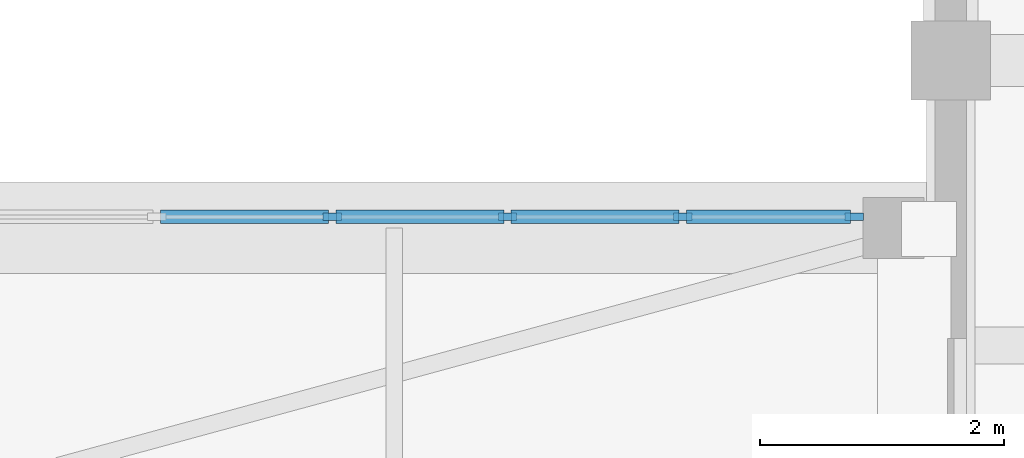
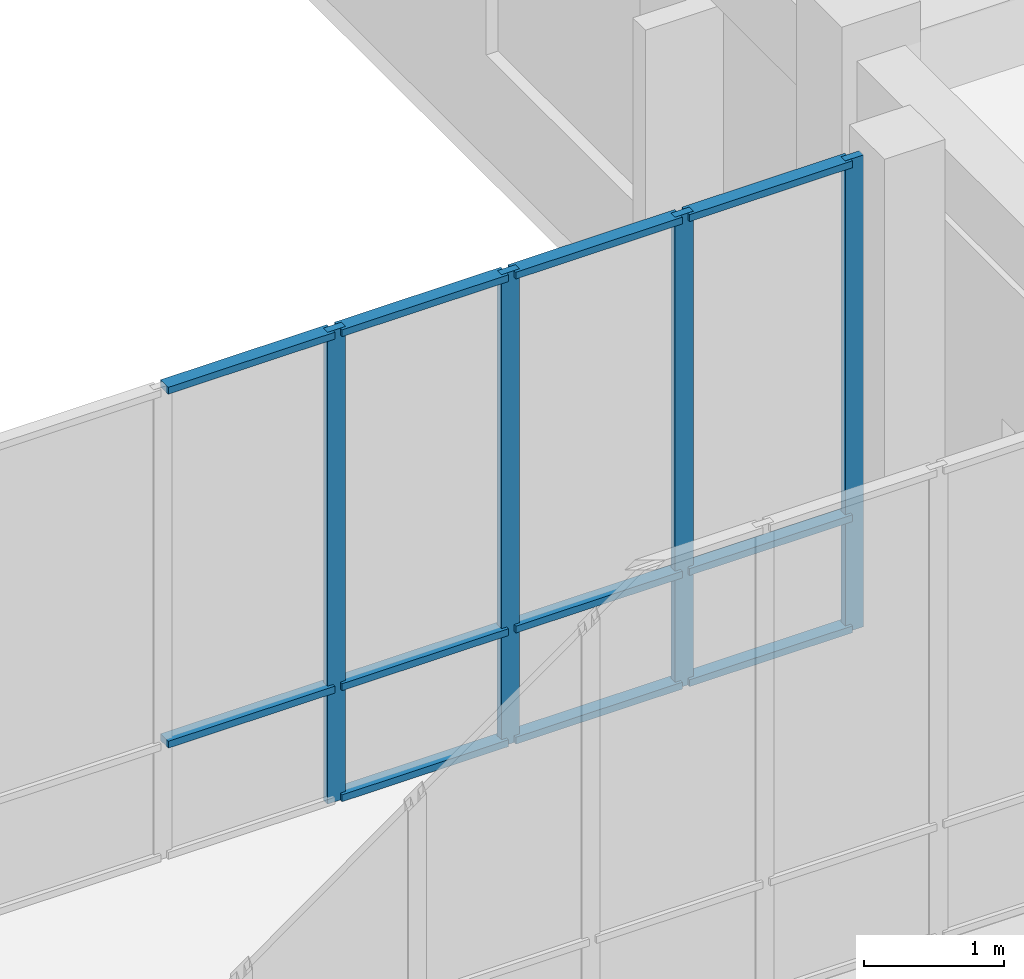
# One storey, part 8 of 72: 15 members, 1 element without a shape of its own.
"""IFC4 building model written with IfcOpenShell, lengths in metres."""

from ifc_helpers import new_model, si_unit, direction, frame, origin, origin_2d, place, context, subcontext, project, spatial, rectangle, extrude, material, layer, layer_set, material_profile, profile_set, type_object, element, aggregate, save


model = new_model("IFC4")

# Units and contexts
model_context = context("Model", 3, precision=1e-05, world=origin(), true_north=direction((0.0, 1.0)))
body_context = subcontext(model_context, "Body", "Model", "MODEL_VIEW")
ifc_project = project(units=[si_unit("LENGTHUNIT", "METRE"), si_unit("AREAUNIT", "SQUARE_METRE"), si_unit("VOLUMEUNIT", "CUBIC_METRE"), si_unit("PLANEANGLEUNIT", "RADIAN"), si_unit("MASSUNIT", "GRAM", prefix="KILO")], contexts=[model_context])

# Site, building, storey
site_placement = place(None, origin())
site = spatial("IfcSite", under=ifc_project, at=site_placement, CompositionType="ELEMENT")
building_placement = place(site_placement, origin())
building = spatial("IfcBuilding", under=site, at=building_placement, Name="Naurynzar Civic Courthouse", CompositionType="ELEMENT")
storey_placement = place(building_placement, frame((0.0, 0.0, 9.89990234375)))
storey = spatial("IfcBuildingStorey", under=building, at=storey_placement, Name="L03", CompositionType="ELEMENT", Elevation=9.89990234375)

# Curtain wall, members
ifc_material_1 = material(Name="Aluminium 6063-T6", Category="aluminium")
ifc_layer = layer(ifc_material_1, 0.14990234375)
ifc_layer_set = layer_set([ifc_layer], Name="CW-BRIDGE-1500")
curtain_wall_type = type_object("IfcCurtainWallType", Name="CW-BRIDGE-1500", PredefinedType="USERDEFINED", material=ifc_layer_set)
curtain_wall_placement = place(storey_placement, origin())
curtain_wall = element("IfcCurtainWall", 1, at=curtain_wall_placement, inside=storey, type_object=curtain_wall_type, Name="BR-S1 glazed bridge screen L03.2", ObjectType="GLAZED BRIDGE SCREEN", PredefinedType="USERDEFINED")
ifc_material_2 = material(Name="Aluminium 6063-T6", Category="aluminium")
ifc_material_profile_1 = material_profile(ifc_material_2, rectangle(XDim=0.06005859375, YDim=0.14990234375, at=origin_2d()), Name="ALU MULLION 60x150")
ifc_profile_set_1 = profile_set([ifc_material_profile_1], Name="Aluminium 6063-T6")
member_type_1 = type_object("IfcMemberType", Name="CWM-60x150", PredefinedType="MULLION", material=ifc_profile_set_1)
member_1_placement = place(storey_placement, frame((68.2099609375, 15.719970703125, 0.0), z_axis=(0.0, 0.0, 1.0), x_axis=(0.0, -1.0, 0.0)))
member_1 = element("IfcMember", 2, at=member_1_placement, type_object=member_type_1, Name="CW-03 mullion 1", PredefinedType="MULLION", context=body_context, shape_type="SweptSolid", body=[
    extrude(rectangle(XDim=0.06005859375, YDim=0.14990234375, at=origin_2d()), origin(), (0.0, 0.0, 1.0), 4.1201171875),
])
member_2_placement = place(storey_placement, frame((66.804931640625, 15.719970703125, 0.0), z_axis=(0.0, 0.0, 1.0), x_axis=(0.0, -1.0, 0.0)))
member_2 = element("IfcMember", 3, at=member_2_placement, type_object=member_type_1, Name="CW-03 mullion 2", PredefinedType="MULLION", context=body_context, shape_type="SweptSolid", body=[
    extrude(rectangle(XDim=0.06005859375, YDim=0.14990234375, at=origin_2d()), origin(), (0.0, 0.0, 1.0), 4.1201171875),
])
member_3_placement = place(storey_placement, frame((65.3701171875, 15.719970703125, 0.0), z_axis=(0.0, 0.0, 1.0), x_axis=(0.0, -1.0, 0.0)))
member_3 = element("IfcMember", 4, at=member_3_placement, type_object=member_type_1, Name="CW-03 mullion 3", PredefinedType="MULLION", context=body_context, shape_type="SweptSolid", body=[
    extrude(rectangle(XDim=0.06005859375, YDim=0.14990234375, at=origin_2d()), origin(), (0.0, 0.0, 1.0), 4.1201171875),
])
member_4_placement = place(storey_placement, frame((63.93505859375, 15.719970703125, 0.0), z_axis=(0.0, 0.0, 1.0), x_axis=(0.0, -1.0, 0.0)))
member_4 = element("IfcMember", 5, at=member_4_placement, type_object=member_type_1, Name="CW-03 mullion 4", PredefinedType="MULLION", context=body_context, shape_type="SweptSolid", body=[
    extrude(rectangle(XDim=0.06005859375, YDim=0.14990234375, at=origin_2d()), origin(), (0.0, 0.0, 1.0), 4.1201171875),
])
ifc_material_3 = material(Name="Aluminium 6063-T6", Category="aluminium")
ifc_material_profile_2 = material_profile(ifc_material_3, rectangle(XDim=0.110107421875, YDim=0.06005859375, at=origin_2d()), Name="ALU TRANSOM 60x110")
ifc_profile_set_2 = profile_set([ifc_material_profile_2], Name="Aluminium 6063-T6")
member_type_2 = type_object("IfcMemberType", Name="CWT-60x110", PredefinedType="USERDEFINED", material=ifc_profile_set_2)
member_5_placement = place(storey_placement, frame((68.179931640625, 15.719970703125, 0.030029296875), z_axis=(-1.0, 0.0, 0.0), x_axis=(0.0, -1.0, 0.0)))
member_5 = element("IfcMember", 6, at=member_5_placement, type_object=member_type_2, Name="CW-03 transom 1.1", ObjectType="TRANSOM", PredefinedType="USERDEFINED", context=body_context, shape_type="SweptSolid", body=[
    extrude(rectangle(XDim=0.110107421875, YDim=0.06005859375, at=origin_2d()), origin(), (0.0, 0.0, 1.0), 1.344970703125),
])
member_6_placement = place(storey_placement, frame((68.179931640625, 15.719970703125, 1.0), z_axis=(-1.0, 0.0, 0.0), x_axis=(0.0, -1.0, 0.0)))
member_6 = element("IfcMember", 7, at=member_6_placement, type_object=member_type_2, Name="CW-03 transom 1.2", ObjectType="TRANSOM", PredefinedType="USERDEFINED", context=body_context, shape_type="SweptSolid", body=[
    extrude(rectangle(XDim=0.110107421875, YDim=0.06005859375, at=origin_2d()), origin(), (0.0, 0.0, 1.0), 1.344970703125),
])
member_7_placement = place(storey_placement, frame((68.179931640625, 15.719970703125, 4.090087890625), z_axis=(-1.0, 0.0, 0.0), x_axis=(0.0, -1.0, 0.0)))
member_7 = element("IfcMember", 8, at=member_7_placement, type_object=member_type_2, Name="CW-03 transom 1.3", ObjectType="TRANSOM", PredefinedType="USERDEFINED", context=body_context, shape_type="SweptSolid", body=[
    extrude(rectangle(XDim=0.110107421875, YDim=0.06005859375, at=origin_2d()), origin(), (0.0, 0.0, 1.0), 1.344970703125),
])
member_8_placement = place(storey_placement, frame((66.77490234375, 15.719970703125, 0.030029296875), z_axis=(-1.0, 0.0, 0.0), x_axis=(0.0, -1.0, 0.0)))
member_8 = element("IfcMember", 9, at=member_8_placement, type_object=member_type_2, Name="CW-03 transom 2.1", ObjectType="TRANSOM", PredefinedType="USERDEFINED", context=body_context, shape_type="SweptSolid", body=[
    extrude(rectangle(XDim=0.110107421875, YDim=0.06005859375, at=origin_2d()), origin(), (0.0, 0.0, 1.0), 1.375),
])
member_9_placement = place(storey_placement, frame((66.77490234375, 15.719970703125, 1.0), z_axis=(-1.0, 0.0, 0.0), x_axis=(0.0, -1.0, 0.0)))
member_9 = element("IfcMember", 10, at=member_9_placement, type_object=member_type_2, Name="CW-03 transom 2.2", ObjectType="TRANSOM", PredefinedType="USERDEFINED", context=body_context, shape_type="SweptSolid", body=[
    extrude(rectangle(XDim=0.110107421875, YDim=0.06005859375, at=origin_2d()), origin(), (0.0, 0.0, 1.0), 1.375),
])
member_10_placement = place(storey_placement, frame((66.77490234375, 15.719970703125, 4.090087890625), z_axis=(-1.0, 0.0, 0.0), x_axis=(0.0, -1.0, 0.0)))
member_10 = element("IfcMember", 11, at=member_10_placement, type_object=member_type_2, Name="CW-03 transom 2.3", ObjectType="TRANSOM", PredefinedType="USERDEFINED", context=body_context, shape_type="SweptSolid", body=[
    extrude(rectangle(XDim=0.110107421875, YDim=0.06005859375, at=origin_2d()), origin(), (0.0, 0.0, 1.0), 1.375),
])
member_11_placement = place(storey_placement, frame((65.340087890625, 15.719970703125, 0.030029296875), z_axis=(-1.0, 0.0, 0.0), x_axis=(0.0, -1.0, 0.0)))
member_11 = element("IfcMember", 12, at=member_11_placement, type_object=member_type_2, Name="CW-03 transom 3.1", ObjectType="TRANSOM", PredefinedType="USERDEFINED", context=body_context, shape_type="SweptSolid", body=[
    extrude(rectangle(XDim=0.110107421875, YDim=0.06005859375, at=origin_2d()), origin(), (0.0, 0.0, 1.0), 1.375),
])
member_12_placement = place(storey_placement, frame((65.340087890625, 15.719970703125, 1.0), z_axis=(-1.0, 0.0, 0.0), x_axis=(0.0, -1.0, 0.0)))
member_12 = element("IfcMember", 13, at=member_12_placement, type_object=member_type_2, Name="CW-03 transom 3.2", ObjectType="TRANSOM", PredefinedType="USERDEFINED", context=body_context, shape_type="SweptSolid", body=[
    extrude(rectangle(XDim=0.110107421875, YDim=0.06005859375, at=origin_2d()), origin(), (0.0, 0.0, 1.0), 1.375),
])
member_13_placement = place(storey_placement, frame((65.340087890625, 15.719970703125, 4.090087890625), z_axis=(-1.0, 0.0, 0.0), x_axis=(0.0, -1.0, 0.0)))
member_13 = element("IfcMember", 14, at=member_13_placement, type_object=member_type_2, Name="CW-03 transom 3.3", ObjectType="TRANSOM", PredefinedType="USERDEFINED", context=body_context, shape_type="SweptSolid", body=[
    extrude(rectangle(XDim=0.110107421875, YDim=0.06005859375, at=origin_2d()), origin(), (0.0, 0.0, 1.0), 1.375),
])
member_14_placement = place(storey_placement, frame((63.905029296875, 15.719970703125, 1.0), z_axis=(-1.0, 0.0, 0.0), x_axis=(0.0, -1.0, 0.0)))
member_14 = element("IfcMember", 15, at=member_14_placement, type_object=member_type_2, Name="CW-03 transom 4.2", ObjectType="TRANSOM", PredefinedType="USERDEFINED", context=body_context, shape_type="SweptSolid", body=[
    extrude(rectangle(XDim=0.110107421875, YDim=0.06005859375, at=origin_2d()), origin(), (0.0, 0.0, 1.0), 1.375),
])
member_15_placement = place(storey_placement, frame((63.905029296875, 15.719970703125, 4.090087890625), z_axis=(-1.0, 0.0, 0.0), x_axis=(0.0, -1.0, 0.0)))
member_15 = element("IfcMember", 16, at=member_15_placement, type_object=member_type_2, Name="CW-03 transom 4.3", ObjectType="TRANSOM", PredefinedType="USERDEFINED", context=body_context, shape_type="SweptSolid", body=[
    extrude(rectangle(XDim=0.110107421875, YDim=0.06005859375, at=origin_2d()), origin(), (0.0, 0.0, 1.0), 1.375),
])
aggregate(curtain_wall, [member_1, member_2, member_3, member_4, member_5, member_6, member_7, member_8, member_9, member_10, member_11, member_12, member_13, member_14, member_15])

save(model, "model.ifc")
